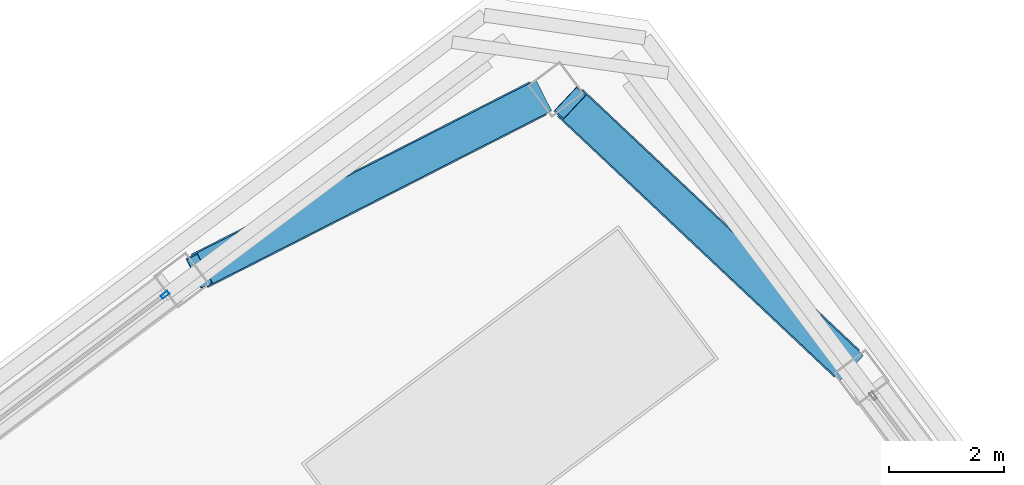
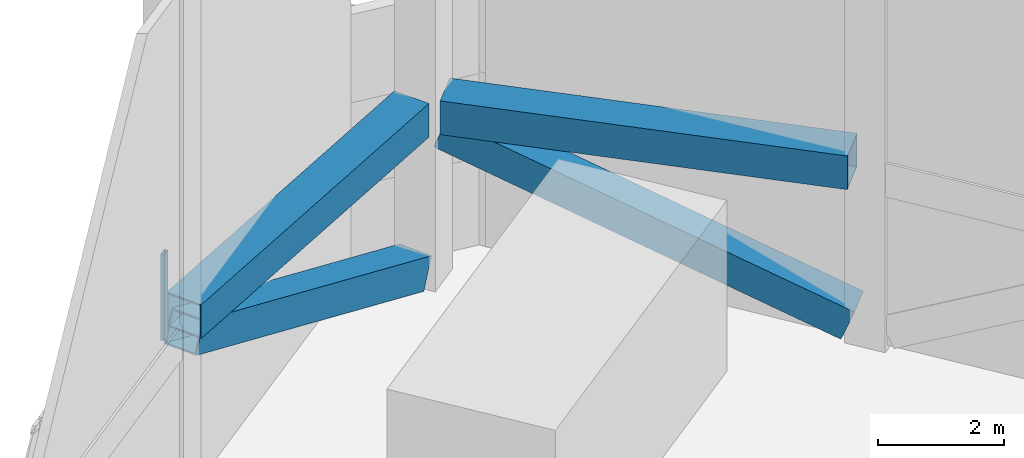
# One storey, part 24 of 37: 3 members, 2 beams, 1 element without a shape of its own.
"""IFC4 building model written with IfcOpenShell, lengths in metres."""

from ifc_helpers import new_model, si_unit, direction, frame, origin, origin_2d, place, context, subcontext, project, spatial, hollow_rectangle, extrude, material, material_profile, profile_set, type_object, element, aggregate, save


model = new_model("IFC4")

# Units and contexts
model_context = context("Model", 3, precision=1e-05, world=origin(), true_north=direction((0.0, 1.0)))
body_context = subcontext(model_context, "Body", "Model", "MODEL_VIEW")
ifc_project = project(units=[si_unit("LENGTHUNIT", "METRE"), si_unit("AREAUNIT", "SQUARE_METRE"), si_unit("VOLUMEUNIT", "CUBIC_METRE"), si_unit("PLANEANGLEUNIT", "RADIAN"), si_unit("MASSUNIT", "GRAM", prefix="KILO")], contexts=[model_context])

# Site, building, storey
site_placement = place(None, origin())
site = spatial("IfcSite", under=ifc_project, at=site_placement, CompositionType="ELEMENT")
building_placement = place(site_placement, origin())
building = spatial("IfcBuilding", under=site, at=building_placement, Name="Tashvorn Skyway Center", CompositionType="ELEMENT")
storey_placement = place(building_placement, frame((0.0, 0.0, 263.39990234375)))
storey = spatial("IfcBuildingStorey", under=building, at=storey_placement, Name="L71", CompositionType="ELEMENT", Elevation=263.39990234375)

# Beams
ifc_material_1 = material(Name="Steel ASTM A572 Grade 50", Category="steel")
ifc_material_profile_1 = material_profile(ifc_material_1, hollow_rectangle(XDim=0.64990234375, YDim=0.64990234375, WallThickness=0.02490234375, at=origin_2d()), Name="BOX650x650x25")
ifc_profile_set_1 = profile_set([ifc_material_profile_1], Name="Steel ASTM A572 Grade 50")
beam_type = type_object("IfcBeamType", Name="BM-BEAM-BOX650x650x25", PredefinedType="BEAM", material=ifc_profile_set_1)
for number, where, z_axis, x_axis, name in (
    (1, (121.5888671875, 44.866455078125, 3.316650390625), (-0.727983344677, 0.685594814649, 0.0), (-0.685594814649, -0.727983344677, 0.0), "CROWN FRAME Tower 2 Lower-Tier Ring Beam 06"),
    (2, (116.212646484375, 49.483154296875, 3.316650390625), (-0.890849939668, -0.454297683235, 0.0), (0.454297683235, -0.890849939668, 0.0), "CROWN FRAME Tower 2 Lower-Tier Ring Beam 07"),
):
    element("IfcBeam", number, at=place(storey_placement, frame(where, z_axis=z_axis, x_axis=x_axis)), inside=storey, type_object=beam_type, Name=name, PredefinedType="BEAM", context=body_context, shape_type="SweptSolid", body=[
        extrude(hollow_rectangle(XDim=0.64990234375, YDim=0.64990234375, WallThickness=0.02490234375, at=origin_2d()), origin(), (0.0, 0.0, 1.0), 6.61767578125),
    ])

# Curtain wall, member
ifc_material_2 = material(Name="Thermally broken bronze-anodized aluminium 6063-T6", Category="aluminium")
curtain_wall_type = type_object("IfcCurtainWallType", Name="CW-CW-SKY", PredefinedType="NOTDEFINED", material=ifc_material_2)
curtain_wall_placement = place(storey_placement, origin())
curtain_wall = element("IfcCurtainWall", 3, at=curtain_wall_placement, inside=storey, type_object=curtain_wall_type, Name="CROWN Lantern Fritted Curtain Wall T2 N-3", PredefinedType="NOTDEFINED")
ifc_material_profile_2 = material_profile(ifc_material_2, hollow_rectangle(XDim=0.06494140625, YDim=0.14990234375, WallThickness=0.00390625, at=origin_2d()), Name="ALU-MULL-65x150")
ifc_profile_set_2 = profile_set([ifc_material_profile_2], Name="Thermally broken bronze-anodized aluminium 6063-T6")
member_type_1 = type_object("IfcMemberType", Name="CWM-CW-SKY", PredefinedType="MULLION", material=ifc_profile_set_2)
member_1_placement = place(storey_placement, frame((109.721923828125, 46.06640625, 3.330078125), z_axis=(0.0, 0.0, 1.0), x_axis=(-0.600000000002, 0.799999999998, 0.0)))
member_1 = element("IfcMember", 4, at=member_1_placement, type_object=member_type_1, Name="CW-SKY mullion 3", PredefinedType="MULLION", context=body_context, shape_type="SweptSolid", body=[
    extrude(hollow_rectangle(XDim=0.06494140625, YDim=0.14990234375, WallThickness=0.00390625, at=origin_2d()), origin(), (0.0, 0.0, 1.0), 1.6650390625),
])
aggregate(curtain_wall, [member_1])

# Members
ifc_material_profile_3 = material_profile(ifc_material_1, hollow_rectangle(XDim=0.60009765625, YDim=0.60009765625, WallThickness=0.02490234375, at=origin_2d()), Name="BOX600x600x25")
ifc_profile_set_3 = profile_set([ifc_material_profile_3], Name="Steel ASTM A572 Grade 50")
member_type_2 = type_object("IfcMemberType", Name="MEM-CF-BRC-600", PredefinedType="BRACE", material=ifc_profile_set_3)
member_2_placement = place(storey_placement, frame((121.5888671875, 44.866455078125, 0.35009765625), z_axis=(-0.675928943444, 0.636571402471, 0.37134473602), x_axis=(-0.685594814649, -0.727983344677, 0.0)))
element("IfcMember", 5, at=member_2_placement, inside=storey, type_object=member_type_2, Name="CROWN FRAME Tower 2 Lower Portal Brace 06", PredefinedType="BRACE", context=body_context, shape_type="SweptSolid", body=[
    extrude(hollow_rectangle(XDim=0.60009765625, YDim=0.60009765625, WallThickness=0.02490234375, at=origin_2d()), origin(), (0.0, 0.0, 1.0), 7.12744140625),
])
member_3_placement = place(storey_placement, frame((116.212646484375, 49.483154296875, 0.35009765625), z_axis=(-0.827146346996, -0.421811409985, 0.371354352416), x_axis=(0.454297683235, -0.890849939668, 0.0)))
element("IfcMember", 6, at=member_3_placement, inside=storey, type_object=member_type_2, Name="CROWN FRAME Tower 2 Lower Portal Brace 07", PredefinedType="BRACE", context=body_context, shape_type="SweptSolid", body=[
    extrude(hollow_rectangle(XDim=0.60009765625, YDim=0.60009765625, WallThickness=0.02490234375, at=origin_2d()), origin(), (0.0, 0.0, 1.0), 7.127197265625),
])

save(model, "model.ifc")
